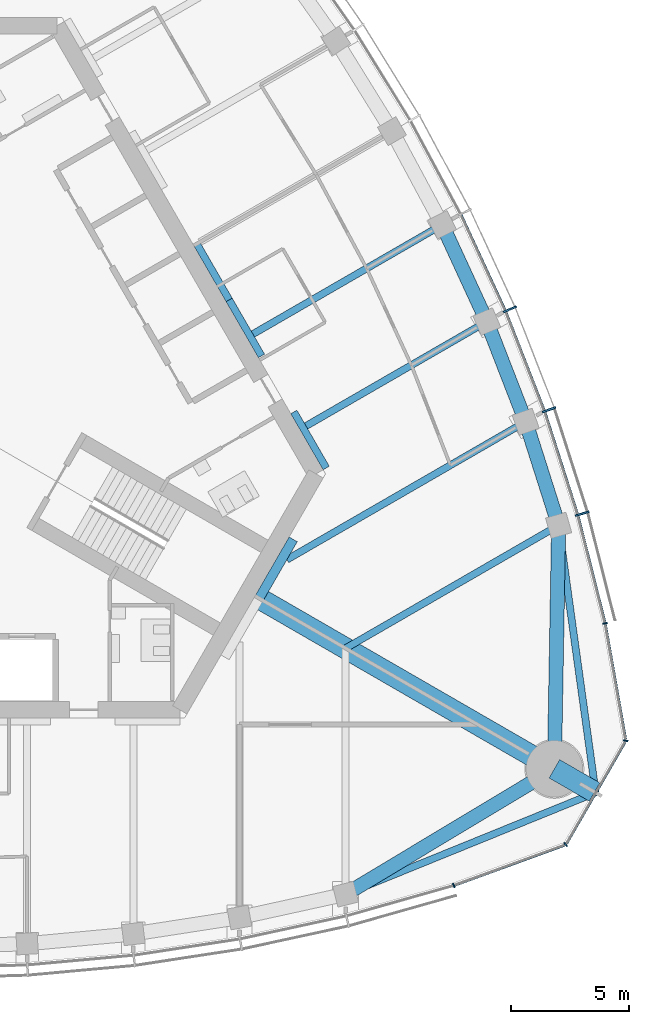
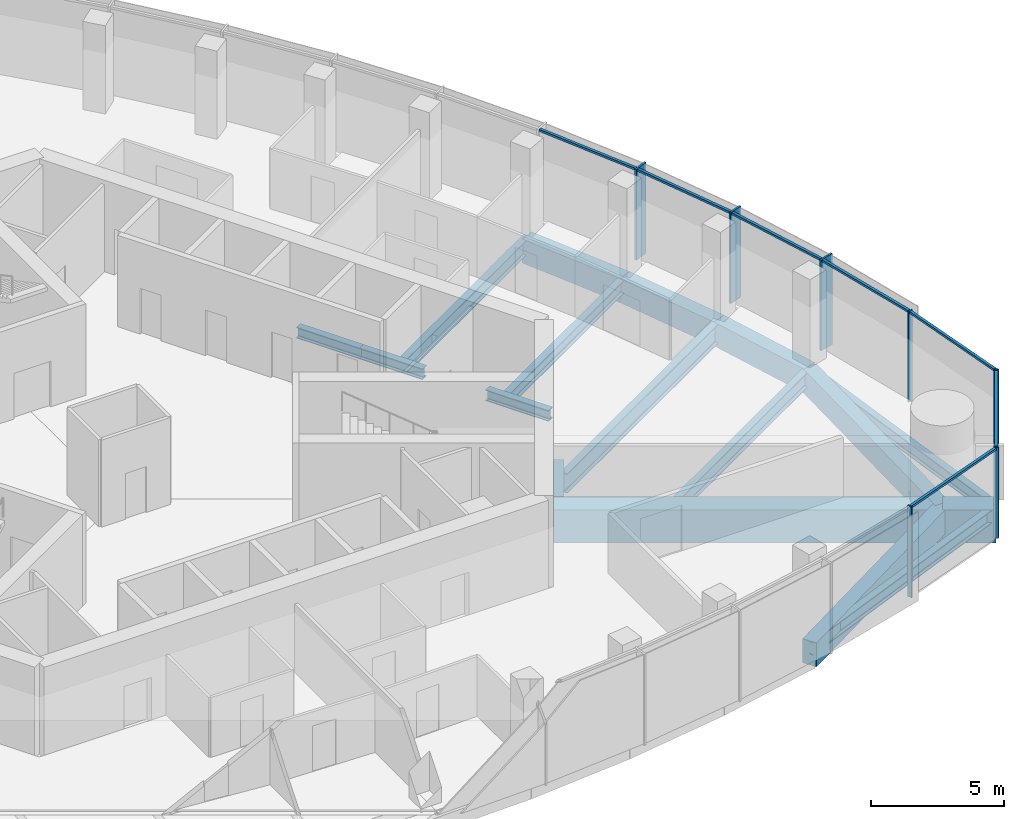
# One storey, part 4 of 16: 17 beams, 14 members, 2 elements without a shape of their own.
"""IFC4 building model written with IfcOpenShell, lengths in metres."""

from ifc_helpers import new_model, si_unit, direction, frame, origin, origin_2d, place, context, subcontext, project, spatial, rectangle, i_section, extrude, material, material_profile, profile_set, type_object, element, aggregate, save


model = new_model("IFC4")

# Units and contexts
model_context = context("Model", 3, precision=1e-05, world=origin(), true_north=direction((0.0, 1.0)))
body_context = subcontext(model_context, "Body", "Model", "MODEL_VIEW")
ifc_project = project(units=[si_unit("LENGTHUNIT", "METRE"), si_unit("AREAUNIT", "SQUARE_METRE"), si_unit("VOLUMEUNIT", "CUBIC_METRE"), si_unit("PLANEANGLEUNIT", "RADIAN"), si_unit("MASSUNIT", "GRAM", prefix="KILO")], contexts=[model_context])

# Site, building, storey
site_placement = place(None, origin())
site = spatial("IfcSite", under=ifc_project, at=site_placement, CompositionType="ELEMENT")
building_placement = place(site_placement, origin())
building = spatial("IfcBuilding", under=site, at=building_placement, Name="Trefoil Bronze Tower", CompositionType="ELEMENT")
storey_placement = place(building_placement, frame((0.0, 0.0, 297.300048828125)))
storey = spatial("IfcBuildingStorey", under=building, at=storey_placement, Name="L68", CompositionType="ELEMENT", Elevation=297.300048828125)

# Curtain wall, members
ifc_material_1 = material(Name="Tinted solar-control glass", Category="glass")
curtain_wall_type_1 = type_object("IfcCurtainWallType", Name="Bronze office curtain wall", PredefinedType="USERDEFINED", material=ifc_material_1)
curtain_wall_1_placement = place(storey_placement, origin())
curtain_wall_1 = element("IfcCurtainWall", 1, at=curtain_wall_1_placement, inside=storey, type_object=curtain_wall_type_1, Name="CW-A L68 F2", ObjectType="CURTAIN WALL", PredefinedType="USERDEFINED")
ifc_material_2 = material(Name="Bronze-finish aluminium", Category="aluminium")
ifc_material_profile_1 = material_profile(ifc_material_2, rectangle(XDim=0.60009765625, YDim=0.080078125, at=origin_2d()), Name="CW-A mullion")
ifc_profile_set_1 = profile_set([ifc_material_profile_1], Name="Bronze-finish aluminium")
member_type_1 = type_object("IfcMemberType", Name="Bronze office curtain wall mullion", PredefinedType="MULLION", material=ifc_profile_set_1)
member_1_placement = place(storey_placement, frame((28.02978515625, -4.685546875, 0.0), z_axis=(0.0, 0.0, 1.0), x_axis=(-0.961395843746, -0.275169096426, 0.0)))
member_1 = element("IfcMember", 2, at=member_1_placement, type_object=member_type_1, Name="CW-A L68 F2 mullion 2", PredefinedType="MULLION", context=body_context, shape_type="SweptSolid", body=[
    extrude(rectangle(XDim=0.60009765625, YDim=0.080078125, at=origin_2d()), origin(), (0.0, 0.0, 1.0), 4.179931640625),
])
member_2_placement = place(storey_placement, frame((26.618896484375, -0.282958984375, 0.0), z_axis=(0.0, 0.0, 1.0), x_axis=(-0.942448408407, -0.334351607581, 0.0)))
member_2 = element("IfcMember", 3, at=member_2_placement, type_object=member_type_1, Name="CW-A L68 F2 mullion 3", PredefinedType="MULLION", context=body_context, shape_type="SweptSolid", body=[
    extrude(rectangle(XDim=0.60009765625, YDim=0.080078125, at=origin_2d()), origin(), (0.0, 0.0, 1.0), 4.179931640625),
])
member_3_placement = place(storey_placement, frame((24.958984375, 3.975830078125, 0.0), z_axis=(0.0, 0.0, 1.0), x_axis=(-0.920205407004, -0.391435829888, 0.0)))
member_3 = element("IfcMember", 4, at=member_3_placement, type_object=member_type_1, Name="CW-A L68 F2 mullion 4", PredefinedType="MULLION", context=body_context, shape_type="SweptSolid", body=[
    extrude(rectangle(XDim=0.60009765625, YDim=0.080078125, at=origin_2d()), origin(), (0.0, 0.0, 1.0), 4.179931640625),
])
ifc_material_3 = material(Name="Bronze-finish aluminium", Category="aluminium")
ifc_material_profile_2 = material_profile(ifc_material_3, rectangle(XDim=0.1201171875, YDim=0.10009765625, at=origin_2d()), Name="CW-A transom")
ifc_profile_set_2 = profile_set([ifc_material_profile_2], Name="Bronze-finish aluminium")
member_type_2 = type_object("IfcMemberType", Name="Bronze office curtain wall transom", PredefinedType="USERDEFINED", material=ifc_profile_set_2)
member_4_placement = place(storey_placement, frame((28.986328125, -9.288330078125, 4.1298828125), z_axis=(-0.244908148095, 0.969546285123, 0.0), x_axis=(-0.969546285123, -0.244908148095, 0.0)))
member_4 = element("IfcMember", 5, at=member_4_placement, type_object=member_type_2, Name="CW-A L68 F2 transom 1", ObjectType="TRANSOM", PredefinedType="USERDEFINED", context=body_context, shape_type="SweptSolid", body=[
    extrude(rectangle(XDim=0.1201171875, YDim=0.10009765625, at=origin_2d()), origin(), (0.0, 0.0, 1.0), 4.6474609375),
])
member_5_placement = place(storey_placement, frame((27.824462890625, -4.699462890625, 4.1298828125), z_axis=(-0.305198606794, 0.95228872219, 0.0), x_axis=(-0.95228872219, -0.305198606794, 0.0)))
member_5 = element("IfcMember", 6, at=member_5_placement, type_object=member_type_2, Name="CW-A L68 F2 transom 2", ObjectType="TRANSOM", PredefinedType="USERDEFINED", context=body_context, shape_type="SweptSolid", body=[
    extrude(rectangle(XDim=0.1201171875, YDim=0.10009765625, at=origin_2d()), origin(), (0.0, 0.0, 1.0), 4.5244140625),
])
member_6_placement = place(storey_placement, frame((26.414794921875, -0.3095703125, 4.1298828125), z_axis=(-0.363178486404, 0.931719586042, 0.0), x_axis=(-0.931719586042, -0.363178486404, 0.0)))
member_6 = element("IfcMember", 7, at=member_6_placement, type_object=member_type_2, Name="CW-A L68 F2 transom 3", ObjectType="TRANSOM", PredefinedType="USERDEFINED", context=body_context, shape_type="SweptSolid", body=[
    extrude(rectangle(XDim=0.1201171875, YDim=0.10009765625, at=origin_2d()), origin(), (0.0, 0.0, 1.0), 4.472412109375),
])
member_7_placement = place(storey_placement, frame((24.7568359375, 3.9365234375, 4.1298828125), z_axis=(-0.4192988407, 0.907848270466, 0.0), x_axis=(-0.907848270466, -0.4192988407, 0.0)))
member_7 = element("IfcMember", 8, at=member_7_placement, type_object=member_type_2, Name="CW-A L68 F2 transom 4", ObjectType="TRANSOM", PredefinedType="USERDEFINED", context=body_context, shape_type="SweptSolid", body=[
    extrude(rectangle(XDim=0.1201171875, YDim=0.10009765625, at=origin_2d()), origin(), (0.0, 0.0, 1.0), 4.4384765625),
])
aggregate(curtain_wall_1, [member_1, member_2, member_3, member_4, member_5, member_6, member_7])

ifc_material_4 = material(Name="Tinted solar-control glass", Category="glass")
curtain_wall_type_2 = type_object("IfcCurtainWallType", Name="Bronze rounded corner curtain wall", PredefinedType="USERDEFINED", material=ifc_material_4)
curtain_wall_2_placement = place(storey_placement, origin())
curtain_wall_2 = element("IfcCurtainWall", 9, at=curtain_wall_2_placement, inside=storey, type_object=curtain_wall_type_2, Name="CW-B L68 K1", ObjectType="CURTAIN WALL", PredefinedType="USERDEFINED")
ifc_material_5 = material(Name="Bronze-finish aluminium", Category="aluminium")
ifc_material_profile_3 = material_profile(ifc_material_5, rectangle(XDim=0.199951171875, YDim=0.06005859375, at=origin_2d()), Name="CW-B mullion")
ifc_profile_set_3 = profile_set([ifc_material_profile_3], Name="Bronze-finish aluminium")
member_type_3 = type_object("IfcMemberType", Name="Bronze rounded corner curtain wall mullion", PredefinedType="MULLION", material=ifc_profile_set_3)
member_8_placement = place(storey_placement, frame((22.58251953125, -20.445556640625, 0.0), z_axis=(0.0, 0.0, 1.0), x_axis=(-0.342020143326, 0.939692620786, 0.0)))
member_8 = element("IfcMember", 10, at=member_8_placement, type_object=member_type_3, Name="CW-B L68 K1 mullion 1", PredefinedType="MULLION", context=body_context, shape_type="SweptSolid", body=[
    extrude(rectangle(XDim=0.199951171875, YDim=0.06005859375, at=origin_2d()), origin(), (0.0, 0.0, 1.0), 4.179931640625),
])
member_9_placement = place(storey_placement, frame((27.326416015625, -18.712646484375, 0.0), z_axis=(0.0, 0.0, 1.0), x_axis=(-0.642787609687, 0.766044443119, 0.0)))
member_9 = element("IfcMember", 11, at=member_9_placement, type_object=member_type_3, Name="CW-B L68 K1 mullion 2", PredefinedType="MULLION", context=body_context, shape_type="SweptSolid", body=[
    extrude(rectangle(XDim=0.199951171875, YDim=0.06005859375, at=origin_2d()), origin(), (0.0, 0.0, 1.0), 4.179931640625),
])
member_10_placement = place(storey_placement, frame((29.86865234375, -14.30908203125, 0.0), z_axis=(0.0, 0.0, 1.0), x_axis=(-0.984807753012, 0.173648177667, 0.0)))
member_10 = element("IfcMember", 12, at=member_10_placement, type_object=member_type_3, Name="CW-B L68 K1 mullion 3", PredefinedType="MULLION", context=body_context, shape_type="SweptSolid", body=[
    extrude(rectangle(XDim=0.199951171875, YDim=0.06005859375, at=origin_2d()), origin(), (0.0, 0.0, 1.0), 4.179931640625),
])
member_11_placement = place(storey_placement, frame((28.99755859375, -9.334228515625, 0.0), z_axis=(0.0, 0.0, 1.0), x_axis=(-0.984807753012, -0.173648177667, 0.0)))
member_11 = element("IfcMember", 13, at=member_11_placement, type_object=member_type_3, Name="CW-B L68 K1 mullion 4", PredefinedType="MULLION", context=body_context, shape_type="SweptSolid", body=[
    extrude(rectangle(XDim=0.199951171875, YDim=0.06005859375, at=origin_2d()), origin(), (0.0, 0.0, 1.0), 4.179931640625),
])
ifc_material_6 = material(Name="Bronze-finish aluminium", Category="aluminium")
ifc_material_profile_4 = material_profile(ifc_material_6, rectangle(XDim=0.1201171875, YDim=0.10009765625, at=origin_2d()), Name="CW-B transom")
ifc_profile_set_4 = profile_set([ifc_material_profile_4], Name="Bronze-finish aluminium")
member_type_4 = type_object("IfcMemberType", Name="Bronze rounded corner curtain wall transom", PredefinedType="USERDEFINED", material=ifc_profile_set_4)
member_12_placement = place(storey_placement, frame((22.610595703125, -20.435302734375, 4.1298828125), z_axis=(0.93969990549, 0.342000128103, 0.0), x_axis=(-0.342000128103, 0.93969990549, 0.0)))
member_12 = element("IfcMember", 14, at=member_12_placement, type_object=member_type_4, Name="CW-B L68 K1 transom 1", ObjectType="TRANSOM", PredefinedType="USERDEFINED", context=body_context, shape_type="SweptSolid", body=[
    extrude(rectangle(XDim=0.1201171875, YDim=0.10009765625, at=origin_2d()), origin(), (0.0, 0.0, 1.0), 4.956298828125),
])
member_13_placement = place(storey_placement, frame((27.36376953125, -18.659912109375, 4.1298828125), z_axis=(0.499985403706, 0.866033830794, 0.0), x_axis=(-0.866033830794, 0.499985403706, 0.0)))
member_13 = element("IfcMember", 15, at=member_13_placement, type_object=member_type_4, Name="CW-B L68 K1 transom 2", ObjectType="TRANSOM", PredefinedType="USERDEFINED", context=body_context, shape_type="SweptSolid", body=[
    extrude(rectangle(XDim=0.1201171875, YDim=0.10009765625, at=origin_2d()), origin(), (0.0, 0.0, 1.0), 4.956298828125),
])
member_14_placement = place(storey_placement, frame((29.863525390625, -14.244873046875, 4.1298828125), z_axis=(-0.173633591509, 0.984810324834, 0.0), x_axis=(-0.984810324834, -0.173633591509, 0.0)))
member_14 = element("IfcMember", 16, at=member_14_placement, type_object=member_type_4, Name="CW-B L68 K1 transom 3", ObjectType="TRANSOM", PredefinedType="USERDEFINED", context=body_context, shape_type="SweptSolid", body=[
    extrude(rectangle(XDim=0.1201171875, YDim=0.10009765625, at=origin_2d()), origin(), (0.0, 0.0, 1.0), 4.956298828125),
])
aggregate(curtain_wall_2, [member_8, member_9, member_10, member_11, member_12, member_13, member_14])

# Beams
ifc_material_7 = material(Name="Steel C355", Category="steel")
ifc_material_profile_5 = material_profile(ifc_material_7, i_section(OverallWidth=0.300048828125, OverallDepth=0.5, WebThickness=0.014404296875, FlangeThickness=0.028076171875, FilletRadius=0.027099609375, at=origin_2d()), Name="HEB 500")
ifc_profile_set_5 = profile_set([ifc_material_profile_5], Name="Steel C355")
beam_type_1 = type_object("IfcBeamType", Name="Core seat beam HEB 500", PredefinedType="BEAM", material=ifc_profile_set_5)
for number, where, z_axis, x_axis, name in (
    (17, (17.17626953125, -2.75, -0.449951171875), (-0.500035825175, 0.866004719122, 0.0), (-0.866004719122, -0.500035825175, 0.0), "Core seat beam F2/-2 L68"),
    (18, (14.433837890625, 2.0, -0.449951171875), (-0.500035825175, 0.866004719122, 0.0), (-0.866004719122, -0.500035825175, 0.0), "Core seat beam F2/-1 L68"),
    (19, (13.0625, 4.375, -0.449951171875), (-0.499969057507, 0.866043267704, 0.0), (-0.866043267704, -0.499969057507, 0.0), "Core seat beam F2/+0 L68"),
):
    element("IfcBeam", number, at=place(storey_placement, frame(where, z_axis=z_axis, x_axis=x_axis)), inside=storey, type_object=beam_type_1, Name=name, PredefinedType="BEAM", context=body_context, shape_type="SweptSolid", body=[
        extrude(i_section(OverallWidth=0.300048828125, OverallDepth=0.5, WebThickness=0.014404296875, FlangeThickness=0.028076171875, FilletRadius=0.027099609375, at=origin_2d()), origin(), (0.0, 0.0, 1.0), 2.742431640625),
    ])
ifc_material_8 = material(Name="Steel C355", Category="steel")
ifc_material_profile_6 = material_profile(ifc_material_8, i_section(OverallWidth=0.39990234375, OverallDepth=1.199951171875, WebThickness=0.02001953125, FlangeThickness=0.0400390625, FilletRadius=0.010009765625, at=origin_2d()), Name="WPG 1200")
ifc_profile_set_6 = profile_set([ifc_material_profile_6], Name="Steel C355")
beam_type_2 = type_object("IfcBeamType", Name="Core seat beam WPG 1200", PredefinedType="BEAM", material=ifc_profile_set_6)
beam_1_placement = place(storey_placement, frame((14.332763671875, -8.27490234375, -0.800048828125), z_axis=(0.499995765644, 0.866027848477, 0.0), x_axis=(-0.866027848477, 0.499995765644, 0.0)))
element("IfcBeam", 20, at=beam_1_placement, inside=storey, type_object=beam_type_2, Name="Core seat beam F2/-3 L68", PredefinedType="BEAM", context=body_context, shape_type="SweptSolid", body=[
    extrude(i_section(OverallWidth=0.39990234375, OverallDepth=1.199951171875, WebThickness=0.02001953125, FlangeThickness=0.0400390625, FilletRadius=0.010009765625, at=origin_2d()), origin(), (0.0, 0.0, 1.0), 2.88671875),
])
ifc_material_9 = material(Name="Concrete B80", Category="concrete")
ifc_material_profile_7 = material_profile(ifc_material_9, rectangle(XDim=0.89990234375, YDim=1.5, at=origin_2d()), Name="RC 900x1500")
ifc_profile_set_7 = profile_set([ifc_material_profile_7], Name="Concrete B80")
beam_type_3 = type_object("IfcBeamType", Name="Corner cantilever RC 900x1500", PredefinedType="BEAM", material=ifc_profile_set_7)
beam_2_placement = place(storey_placement, frame((26.8466796875, -15.5, -0.949951171875), z_axis=(0.866010470582, -0.500025864173, 0.0), x_axis=(0.500025864173, 0.866010470582, 0.0)))
element("IfcBeam", 21, at=beam_2_placement, inside=storey, type_object=beam_type_3, Name="Corner cantilever K1 L68", PredefinedType="BEAM", context=body_context, shape_type="SweptSolid", body=[
    extrude(rectangle(XDim=0.89990234375, YDim=1.5, at=origin_2d()), origin(), (0.0, 0.0, 1.0), 2.02001953125),
])
ifc_material_10 = material(Name="Steel C355", Category="steel")
ifc_material_profile_8 = material_profile(ifc_material_10, i_section(OverallWidth=0.300048828125, OverallDepth=0.60009765625, WebThickness=0.015380859375, FlangeThickness=0.030029296875, FilletRadius=0.027099609375, at=origin_2d()), Name="HEB 600")
ifc_profile_set_8 = profile_set([ifc_material_profile_8], Name="Steel C355")
beam_type_4 = type_object("IfcBeamType", Name="Corner edge beam HEB 600", PredefinedType="BEAM", material=ifc_profile_set_8)
beam_3_placement = place(storey_placement, frame((18.0, -20.816162109375, -0.5), z_axis=(0.926419351914, 0.376493272714, 0.0), x_axis=(-0.376493272714, 0.926419351914, 0.0)))
element("IfcBeam", 22, at=beam_3_placement, inside=storey, type_object=beam_type_4, Name="Corner edge beam F1A L68", PredefinedType="BEAM", context=body_context, shape_type="SweptSolid", body=[
    extrude(i_section(OverallWidth=0.300048828125, OverallDepth=0.60009765625, WebThickness=0.015380859375, FlangeThickness=0.030029296875, FilletRadius=0.027099609375, at=origin_2d()), origin(), (0.0, 0.0, 1.0), 11.4375),
])
beam_4_placement = place(storey_placement, frame((27.02734375, -5.180419921875, -0.5), z_axis=(0.137143714313, -0.990551160529, 0.0), x_axis=(0.990551160529, 0.137143714313, 0.0)))
element("IfcBeam", 23, at=beam_4_placement, inside=storey, type_object=beam_type_4, Name="Corner edge beam F2B L68", PredefinedType="BEAM", context=body_context, shape_type="SweptSolid", body=[
    extrude(i_section(OverallWidth=0.300048828125, OverallDepth=0.60009765625, WebThickness=0.015380859375, FlangeThickness=0.030029296875, FilletRadius=0.027099609375, at=origin_2d()), origin(), (0.0, 0.0, 1.0), 11.437744140625),
])
ifc_material_11 = material(Name="Concrete B80", Category="concrete")
ifc_material_profile_9 = material_profile(ifc_material_11, rectangle(XDim=0.89990234375, YDim=1.5, at=origin_2d()), Name="RC 900x1500")
ifc_profile_set_9 = profile_set([ifc_material_profile_9], Name="Concrete B80")
beam_type_5 = type_object("IfcBeamType", Name="Corner girder RC 900x1500", PredefinedType="BEAM", material=ifc_profile_set_9)
beam_5_placement = place(storey_placement, frame((14.159423828125, -8.175048828125, -0.949951171875), z_axis=(0.866026568746, -0.499997982221, 0.0), x_axis=(0.499997982221, 0.866026568746, 0.0)))
element("IfcBeam", 24, at=beam_5_placement, inside=storey, type_object=beam_type_5, Name="Corner girder K1 L68", PredefinedType="BEAM", context=body_context, shape_type="SweptSolid", body=[
    extrude(rectangle(XDim=0.89990234375, YDim=1.5, at=origin_2d()), origin(), (0.0, 0.0, 1.0), 14.64990234375),
])
ifc_material_12 = material(Name="Concrete B80", Category="concrete")
ifc_material_profile_10 = material_profile(ifc_material_12, rectangle(XDim=0.60009765625, YDim=1.10009765625, at=origin_2d()), Name="RC 600x1100")
ifc_profile_set_10 = profile_set([ifc_material_profile_10], Name="Concrete B80")
beam_type_6 = type_object("IfcBeamType", Name="End spandrel beam RC 600x1100", PredefinedType="SPANDREL", material=ifc_profile_set_10)
for number, where, z_axis, x_axis, name in (
    (25, (18.0, -20.816162109375, -0.75), (0.857144173035, 0.515076563855, 0.0), (-0.515076563855, 0.857144173035, 0.0), "Spandrel F1.10 L68"),
    (26, (26.8466796875, -15.5, -0.75), (0.017504237714, 0.999846789094, 0.0), (-0.999846789094, 0.017504237714, 0.0), "Spandrel F2.1 L68"),
):
    element("IfcBeam", number, at=place(storey_placement, frame(where, z_axis=z_axis, x_axis=x_axis)), inside=storey, type_object=beam_type_6, Name=name, PredefinedType="SPANDREL", context=body_context, shape_type="SweptSolid", body=[
        extrude(rectangle(XDim=0.60009765625, YDim=1.10009765625, at=origin_2d()), origin(), (0.0, 0.0, 1.0), 10.321044921875),
    ])
ifc_material_13 = material(Name="Steel C355", Category="steel")
ifc_material_profile_11 = material_profile(ifc_material_13, i_section(OverallWidth=0.300048828125, OverallDepth=0.60009765625, WebThickness=0.015380859375, FlangeThickness=0.030029296875, FilletRadius=0.027099609375, at=origin_2d()), Name="HEB 600")
ifc_profile_set_11 = profile_set([ifc_material_profile_11], Name="Steel C355")
beam_type_7 = type_object("IfcBeamType", Name="Floor beam HEB 600", PredefinedType="BEAM", material=ifc_profile_set_11)
beam_6_placement = place(storey_placement, frame((23.98486328125, 3.455322265625, -0.5), z_axis=(-0.866025701847, -0.499999483739, 0.0), x_axis=(0.499999483739, -0.866025701847, 0.0)))
element("IfcBeam", 27, at=beam_6_placement, inside=storey, type_object=beam_type_7, Name="Floor beam F2/-2 L68", PredefinedType="BEAM", context=body_context, shape_type="SweptSolid", body=[
    extrude(i_section(OverallWidth=0.300048828125, OverallDepth=0.60009765625, WebThickness=0.015380859375, FlangeThickness=0.030029296875, FilletRadius=0.027099609375, at=origin_2d()), origin(), (0.0, 0.0, 1.0), 8.84912109375),
])
ifc_material_14 = material(Name="Steel C355", Category="steel")
ifc_material_profile_12 = material_profile(ifc_material_14, i_section(OverallWidth=0.300048828125, OverallDepth=0.699951171875, WebThickness=0.01708984375, FlangeThickness=0.031982421875, FilletRadius=0.027099609375, at=origin_2d()), Name="HEB 700")
ifc_profile_set_12 = profile_set([ifc_material_profile_12], Name="Steel C355")
beam_type_8 = type_object("IfcBeamType", Name="Floor beam HEB 700", PredefinedType="BEAM", material=ifc_profile_set_12)
beam_7_placement = place(storey_placement, frame((27.02734375, -5.180419921875, -0.550048828125), z_axis=(-0.866026453994, -0.499998180979, 0.0), x_axis=(0.499998180979, -0.866026453994, 0.0)))
element("IfcBeam", 28, at=beam_7_placement, inside=storey, type_object=beam_type_8, Name="Floor beam F2/-4 L68", PredefinedType="BEAM", context=body_context, shape_type="SweptSolid", body=[
    extrude(i_section(OverallWidth=0.300048828125, OverallDepth=0.699951171875, WebThickness=0.01708984375, FlangeThickness=0.031982421875, FilletRadius=0.027099609375, at=origin_2d()), origin(), (0.0, 0.0, 1.0), 10.423828125),
])
beam_8_placement = place(storey_placement, frame((22.093994140625, 7.559814453125, -0.550048828125), z_axis=(-0.866028909405, -0.499993928037, 0.0), x_axis=(0.499993928037, -0.866028909405, 0.0)))
element("IfcBeam", 29, at=beam_8_placement, inside=storey, type_object=beam_type_8, Name="Floor beam F2/-1 L68", PredefinedType="BEAM", context=body_context, shape_type="SweptSolid", body=[
    extrude(i_section(OverallWidth=0.300048828125, OverallDepth=0.699951171875, WebThickness=0.01708984375, FlangeThickness=0.031982421875, FilletRadius=0.027099609375, at=origin_2d()), origin(), (0.0, 0.0, 1.0), 9.263671875),
])
ifc_material_15 = material(Name="Steel C355", Category="steel")
ifc_material_profile_13 = material_profile(ifc_material_15, i_section(OverallWidth=0.300048828125, OverallDepth=0.89990234375, WebThickness=0.0185546875, FlangeThickness=0.034912109375, FilletRadius=0.030029296875, at=origin_2d()), Name="HEB 900")
ifc_profile_set_13 = profile_set([ifc_material_profile_13], Name="Steel C355")
beam_type_9 = type_object("IfcBeamType", Name="Floor beam HEB 900", PredefinedType="BEAM", material=ifc_profile_set_13)
beam_9_placement = place(storey_placement, frame((25.631591796875, -0.7900390625, -0.650146484375), z_axis=(-0.866026929639, -0.499997357134, 0.0), x_axis=(0.499997357134, -0.866026929639, 0.0)))
element("IfcBeam", 30, at=beam_9_placement, inside=storey, type_object=beam_type_9, Name="Floor beam F2/-3 L68", PredefinedType="BEAM", context=body_context, shape_type="SweptSolid", body=[
    extrude(i_section(OverallWidth=0.300048828125, OverallDepth=0.89990234375, WebThickness=0.0185546875, FlangeThickness=0.034912109375, FilletRadius=0.030029296875, at=origin_2d()), origin(), (0.0, 0.0, 1.0), 11.68505859375),
])
ifc_material_16 = material(Name="Concrete B80", Category="concrete")
ifc_material_profile_14 = material_profile(ifc_material_16, rectangle(XDim=0.60009765625, YDim=1.10009765625, at=origin_2d()), Name="RC 600x1100")
ifc_profile_set_14 = profile_set([ifc_material_profile_14], Name="Concrete B80")
beam_type_10 = type_object("IfcBeamType", Name="Spandrel beam RC 600x1100", PredefinedType="SPANDREL", material=ifc_profile_set_14)
beam_10_placement = place(storey_placement, frame((27.02734375, -5.180419921875, -0.75), z_axis=(-0.302969597344, 0.953000221975, 0.0), x_axis=(-0.953000221975, -0.302969597344, 0.0)))
element("IfcBeam", 31, at=beam_10_placement, inside=storey, type_object=beam_type_10, Name="Spandrel F2.2 L68", PredefinedType="SPANDREL", context=body_context, shape_type="SweptSolid", body=[
    extrude(rectangle(XDim=0.60009765625, YDim=1.10009765625, at=origin_2d()), origin(), (0.0, 0.0, 1.0), 4.60693359375),
])
beam_11_placement = place(storey_placement, frame((25.631591796875, -0.7900390625, -0.75), z_axis=(-0.361636286502, 0.932319256631, 0.0), x_axis=(-0.932319256631, -0.361636286502, 0.0)))
element("IfcBeam", 32, at=beam_11_placement, inside=storey, type_object=beam_type_10, Name="Spandrel F2.3 L68", PredefinedType="SPANDREL", context=body_context, shape_type="SweptSolid", body=[
    extrude(rectangle(XDim=0.60009765625, YDim=1.10009765625, at=origin_2d()), origin(), (0.0, 0.0, 1.0), 4.553466796875),
])
beam_12_placement = place(storey_placement, frame((23.98486328125, 3.455322265625, -0.75), z_axis=(-0.418417425199, 0.90825484215, 0.0), x_axis=(-0.90825484215, -0.418417425199, 0.0)))
element("IfcBeam", 33, at=beam_12_placement, inside=storey, type_object=beam_type_10, Name="Spandrel F2.4 L68", PredefinedType="SPANDREL", context=body_context, shape_type="SweptSolid", body=[
    extrude(rectangle(XDim=0.60009765625, YDim=1.10009765625, at=origin_2d()), origin(), (0.0, 0.0, 1.0), 4.51904296875),
])

save(model, "model.ifc")
